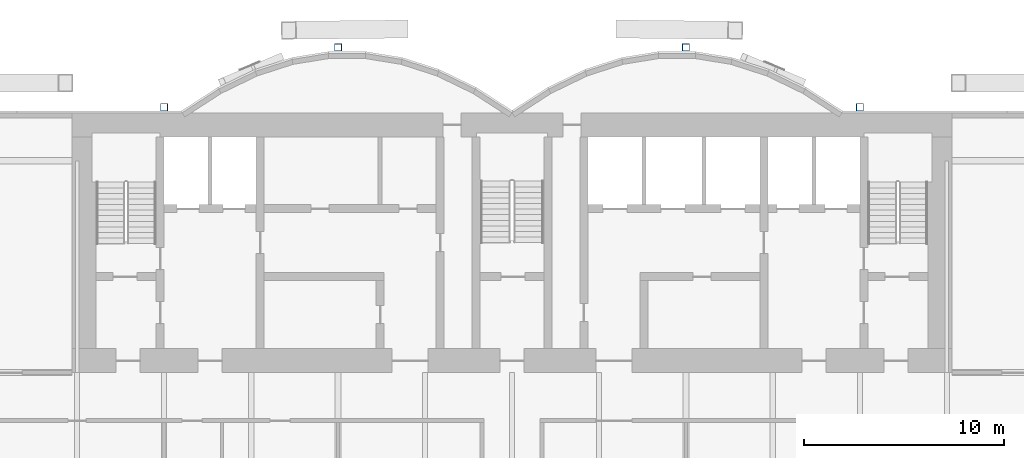
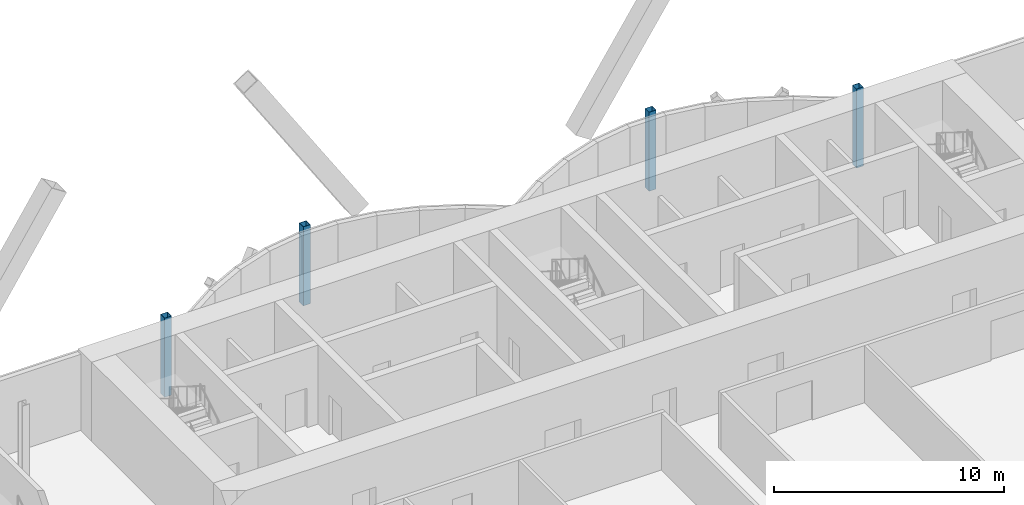
# One storey, part 3 of 20: 4 columns.
"""IFC4 building model written with IfcOpenShell, lengths in metres."""

from ifc_helpers import new_model, si_unit, direction, frame, origin, origin_2d, place, context, subcontext, project, spatial, hollow_rectangle, extrude, material, material_profile, profile_set, type_object, element, save


model = new_model("IFC4")

# Units and contexts
model_context = context("Model", 3, precision=1e-05, world=origin(), true_north=direction((0.0, 1.0)))
body_context = subcontext(model_context, "Body", "Model", "MODEL_VIEW")
ifc_project = project(units=[si_unit("LENGTHUNIT", "METRE"), si_unit("AREAUNIT", "SQUARE_METRE"), si_unit("VOLUMEUNIT", "CUBIC_METRE"), si_unit("PLANEANGLEUNIT", "RADIAN"), si_unit("MASSUNIT", "GRAM", prefix="KILO")], contexts=[model_context])

# Site, building, storey
site_placement = place(None, origin())
site = spatial("IfcSite", under=ifc_project, at=site_placement, CompositionType="ELEMENT")
building_placement = place(site_placement, origin())
building = spatial("IfcBuilding", under=site, at=building_placement, Name="Bicima Exchange Tower", CompositionType="ELEMENT")
storey_placement = place(building_placement, frame((0.0, 0.0, 245.60009765625)))
storey = spatial("IfcBuildingStorey", under=building, at=storey_placement, Name="L55", CompositionType="ELEMENT", Elevation=245.60009765625)

# Columns
ifc_material = material(Name="Steel ASTM A572 Gr 50", Category="steel")
ifc_material_profile = material_profile(ifc_material, hollow_rectangle(XDim=0.355712890625, YDim=0.355712890625, WallThickness=0.01171875, at=origin_2d()))
ifc_profile_set = profile_set([ifc_material_profile], Name="Steel ASTM A572 Gr 50")
column_type = type_object("IfcColumnType", Name="Rear pilaster HSS14x14x1/2", PredefinedType="COLUMN", material=ifc_profile_set)
for number, where, z_axis, x_axis, name in (
    (1, (-8.699951171875, 3.26904296875, 0.0), (0.0, 0.0, 1.0), (1.0, 0.0, 0.0), "Rear pilaster rexo-8.7r"),
    (2, (-17.39990234375, 0.278076171875, 0.0), (0.0, 0.0, 1.0), (1.0, 0.0, 0.0), "Rear pilaster rexo-17.4r"),
    (3, (8.699951171875, 3.26904296875, 0.0), (0.0, 0.0, 1.0), (1.0, 0.0, 0.0), "Rear pilaster rexo+8.7r"),
    (4, (17.39990234375, 0.278076171875, 0.0), (0.0, 0.0, 1.0), (1.0, 0.0, 0.0), "Rear pilaster rexo+17.4r"),
):
    element("IfcColumn", number, at=place(storey_placement, frame(where, z_axis=z_axis, x_axis=x_axis)), inside=storey, type_object=column_type, Name=name, PredefinedType="COLUMN", context=body_context, shape_type="SweptSolid", body=[
        extrude(hollow_rectangle(XDim=0.355712890625, YDim=0.355712890625, WallThickness=0.01171875, at=origin_2d()), origin(), (0.0, 0.0, 1.0), 4.199951171875),
    ])

save(model, "model.ifc")
